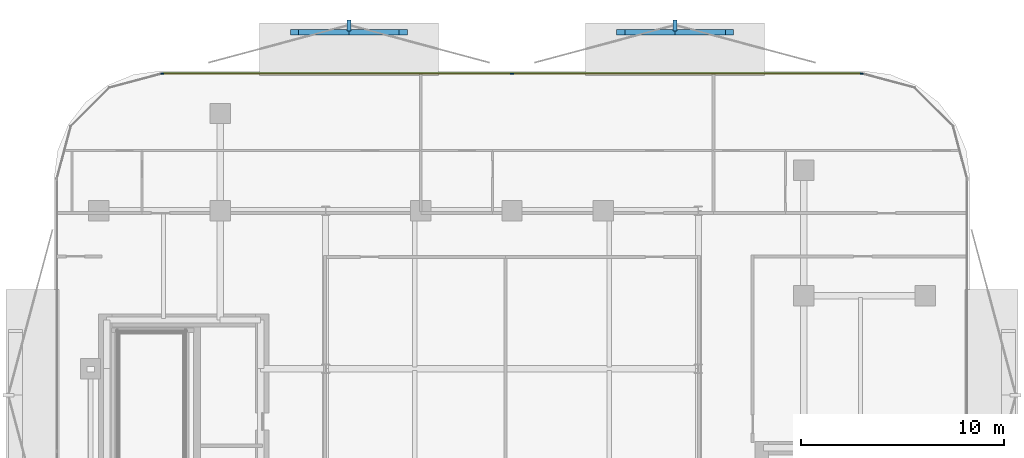
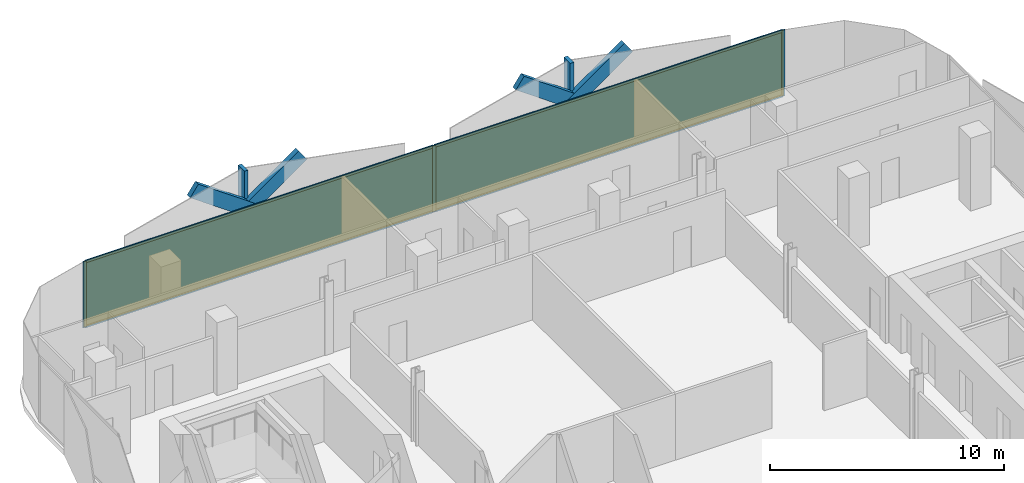
# One storey, part 12 of 17: 13 members, 2 plates, 1 curtain wall.
"""IFC4 building model written with IfcOpenShell, lengths in metres."""

from ifc_helpers import new_model, si_unit, direction, frame, frame_2d, origin, origin_2d, place, context, subcontext, project, spatial, rectangle, extrude, material, layer, layer_set, material_profile, profile_set, type_object, element, aggregate, save


model = new_model("IFC4")

# Units and contexts
model_context = context("Model", 3, precision=1e-05, world=origin(), true_north=direction((0.0, 1.0)))
body_context = subcontext(model_context, "Body", "Model", "MODEL_VIEW")
ifc_project = project(units=[si_unit("LENGTHUNIT", "METRE"), si_unit("AREAUNIT", "SQUARE_METRE"), si_unit("VOLUMEUNIT", "CUBIC_METRE"), si_unit("PLANEANGLEUNIT", "RADIAN"), si_unit("MASSUNIT", "GRAM", prefix="KILO")], contexts=[model_context])

# Member
ifc_material_1 = material(Name="Anodised Bronze Aluminium 6063-T6", Category="aluminium")
ifc_material_profile_1 = material_profile(ifc_material_1, rectangle(XDim=0.260009765625, YDim=0.699951171875, at=origin_2d()))
ifc_profile_set_1 = profile_set([ifc_material_profile_1], Name="Anodised Bronze Aluminium 6063-T6")
member_type_1 = type_object("IfcMemberType", Name="Bronze Diamond Solar-Screen Lattice Rib BDL-700", PredefinedType="MULLION", material=ifc_profile_set_1)
site_placement = place(None, origin())
building_placement = place(site_placement, origin())
storey_placement = place(building_placement, frame((0.0, 0.0, 210.60009765625)))
member_1_placement = place(storey_placement, frame((-10.727294921875, 27.39990234375, -0.130126953125), z_axis=(0.815973383103, 0.0, 0.578089472372), x_axis=(0.0, 1.0, 0.0)))
member_1 = element("IfcMember", 1, at=member_1_placement, type_object=member_type_1, Name="L49 Bronze Diamond Solar Screen Lattice Rib 333A", PredefinedType="MULLION", context=body_context, shape_type="SweptSolid", body=[
    extrude(rectangle(XDim=0.260009765625, YDim=0.699951171875, at=origin_2d()), origin(), (0.0, 0.0, 1.0), 6.573486328125),
])

member_2_placement = place(storey_placement, frame((-5.363525390625, 27.39990234375, -0.130126953125), z_axis=(-0.815973383103, 0.0, 0.578089472372), x_axis=(0.0, -1.0, 0.0)))
member_2 = element("IfcMember", 2, at=member_2_placement, type_object=member_type_1, Name="L49 Bronze Diamond Solar Screen Lattice Rib 333B", PredefinedType="MULLION", context=body_context, shape_type="SweptSolid", body=[
    extrude(rectangle(XDim=0.260009765625, YDim=0.699951171875, at=origin_2d()), origin(), (0.0, 0.0, 1.0), 6.573486328125),
])

member_3_placement = place(storey_placement, frame((5.363525390625, 27.39990234375, -0.130126953125), z_axis=(0.815973383103, 0.0, 0.578089472372), x_axis=(0.0, 1.0, 0.0)))
member_3 = element("IfcMember", 3, at=member_3_placement, type_object=member_type_1, Name="L49 Bronze Diamond Solar Screen Lattice Rib 334A", PredefinedType="MULLION", context=body_context, shape_type="SweptSolid", body=[
    extrude(rectangle(XDim=0.260009765625, YDim=0.699951171875, at=origin_2d()), origin(), (0.0, 0.0, 1.0), 6.573486328125),
])

member_4_placement = place(storey_placement, frame((10.727294921875, 27.39990234375, -0.130126953125), z_axis=(-0.815973383103, 0.0, 0.578089472372), x_axis=(0.0, -1.0, 0.0)))
member_4 = element("IfcMember", 4, at=member_4_placement, type_object=member_type_1, Name="L49 Bronze Diamond Solar Screen Lattice Rib 334B", PredefinedType="MULLION", context=body_context, shape_type="SweptSolid", body=[
    extrude(rectangle(XDim=0.260009765625, YDim=0.699951171875, at=origin_2d()), origin(), (0.0, 0.0, 1.0), 6.573486328125),
])

ifc_material_2 = material(Name="Anodised Bronze Aluminium 6063-T6", Category="aluminium")
ifc_material_profile_2 = material_profile(ifc_material_2, rectangle(XDim=0.179931640625, YDim=0.5400390625, at=origin_2d()))
ifc_profile_set_2 = profile_set([ifc_material_profile_2], Name="Anodised Bronze Aluminium 6063-T6")
member_type_2 = type_object("IfcMemberType", Name="Bronze Solar-Screen Vertical Fold Fin BSF-540", PredefinedType="MULLION", material=ifc_profile_set_2)
member_5_placement = place(storey_placement, frame((-8.04541015625, 27.739990234375, -0.130126953125), z_axis=(0.0, 0.0, 1.0), x_axis=(1.0, 0.0, 0.0)))
member_5 = element("IfcMember", 5, at=member_5_placement, type_object=member_type_2, Name="L49 Bronze Solar Screen Vertical Fin 333", PredefinedType="MULLION", context=body_context, shape_type="SweptSolid", body=[
    extrude(rectangle(XDim=0.179931640625, YDim=0.5400390625, at=origin_2d()), origin(), (0.0, 0.0, 1.0), 3.800048828125),
])

member_6_placement = place(storey_placement, frame((8.04541015625, 27.739990234375, -0.130126953125), z_axis=(0.0, 0.0, 1.0), x_axis=(1.0, 0.0, 0.0)))
member_6 = element("IfcMember", 6, at=member_6_placement, type_object=member_type_2, Name="L49 Bronze Solar Screen Vertical Fin 334", PredefinedType="MULLION", context=body_context, shape_type="SweptSolid", body=[
    extrude(rectangle(XDim=0.179931640625, YDim=0.5400390625, at=origin_2d()), origin(), (0.0, 0.0, 1.0), 3.800048828125),
])

ifc_material_3 = material(Name="Anodised Bronze Aluminium 6063-T6", Category="aluminium")
ifc_material_profile_3 = material_profile(ifc_material_3, rectangle(XDim=0.06005859375, YDim=0.1650390625, at=origin_2d()))
ifc_profile_set_3 = profile_set([ifc_material_profile_3], Name="Anodised Bronze Aluminium 6063-T6")
member_type_3 = type_object("IfcMemberType", Name="CW-Z3 Mullion 60x165", PredefinedType="MULLION", material=ifc_profile_set_3)
member_7_placement = place(storey_placement, frame((-17.2607421875, 25.360107421875, 0.0), z_axis=(0.0, 0.0, 1.0), x_axis=(0.0, 1.0, 0.0)))
member_7 = element("IfcMember", 7, at=member_7_placement, type_object=member_type_3, Name="CW-Z3 mullion 1", PredefinedType="MULLION", context=body_context, shape_type="SweptSolid", body=[
    extrude(rectangle(XDim=0.06005859375, YDim=0.1650390625, at=origin_2d()), origin(), (0.0, 0.0, 1.0), 3.449951171875),
])

member_8_placement = place(storey_placement, frame((0.0, 25.360107421875, 0.0), z_axis=(0.0, 0.0, 1.0), x_axis=(0.0, 1.0, 0.0)))
member_8 = element("IfcMember", 8, at=member_8_placement, type_object=member_type_3, Name="CW-Z3 mullion 2", PredefinedType="MULLION", context=body_context, shape_type="SweptSolid", body=[
    extrude(rectangle(XDim=0.06005859375, YDim=0.1650390625, at=origin_2d()), origin(), (0.0, 0.0, 1.0), 3.449951171875),
])

member_9_placement = place(storey_placement, frame((17.2607421875, 25.360107421875, 0.0), z_axis=(0.0, 0.0, 1.0), x_axis=(0.0, 1.0, 0.0)))
member_9 = element("IfcMember", 9, at=member_9_placement, type_object=member_type_3, Name="CW-Z3 mullion 3", PredefinedType="MULLION", context=body_context, shape_type="SweptSolid", body=[
    extrude(rectangle(XDim=0.06005859375, YDim=0.1650390625, at=origin_2d()), origin(), (0.0, 0.0, 1.0), 3.449951171875),
])

ifc_material_4 = material(Name="Anodised Bronze Aluminium 6063-T6", Category="aluminium")
ifc_material_profile_4 = material_profile(ifc_material_4, rectangle(XDim=0.06005859375, YDim=0.1298828125, at=origin_2d()))
ifc_profile_set_4 = profile_set([ifc_material_profile_4], Name="Anodised Bronze Aluminium 6063-T6")
member_type_4 = type_object("IfcMemberType", Name="CW-Z3 Transom 60x130", PredefinedType="USERDEFINED", material=ifc_profile_set_4)
member_10_placement = place(storey_placement, frame((-17.230712890625, 25.360107421875, 0.02978515625), z_axis=(1.0, 0.0, 0.0), x_axis=(0.0, 1.0, 0.0)))
member_10 = element("IfcMember", 10, at=member_10_placement, type_object=member_type_4, Name="CW-Z3 transom 1.1", ObjectType="TRANSOM", PredefinedType="USERDEFINED", context=body_context, shape_type="SweptSolid", body=[
    extrude(rectangle(XDim=0.06005859375, YDim=0.1298828125, at=origin_2d()), origin(), (0.0, 0.0, 1.0), 17.20068359375),
])

member_11_placement = place(storey_placement, frame((-17.230712890625, 25.360107421875, 3.419921875), z_axis=(1.0, 0.0, 0.0), x_axis=(0.0, 1.0, 0.0)))
member_11 = element("IfcMember", 11, at=member_11_placement, type_object=member_type_4, Name="CW-Z3 transom 1.2", ObjectType="TRANSOM", PredefinedType="USERDEFINED", context=body_context, shape_type="SweptSolid", body=[
    extrude(rectangle(XDim=0.06005859375, YDim=0.1298828125, at=origin_2d()), origin(), (0.0, 0.0, 1.0), 17.20068359375),
])

member_12_placement = place(storey_placement, frame((0.030029296875, 25.360107421875, 0.02978515625), z_axis=(1.0, 0.0, 0.0), x_axis=(0.0, 1.0, 0.0)))
member_12 = element("IfcMember", 12, at=member_12_placement, type_object=member_type_4, Name="CW-Z3 transom 2.1", ObjectType="TRANSOM", PredefinedType="USERDEFINED", context=body_context, shape_type="SweptSolid", body=[
    extrude(rectangle(XDim=0.06005859375, YDim=0.1298828125, at=origin_2d()), origin(), (0.0, 0.0, 1.0), 17.20068359375),
])

member_13_placement = place(storey_placement, frame((0.030029296875, 25.360107421875, 3.419921875), z_axis=(1.0, 0.0, 0.0), x_axis=(0.0, 1.0, 0.0)))
member_13 = element("IfcMember", 13, at=member_13_placement, type_object=member_type_4, Name="CW-Z3 transom 2.2", ObjectType="TRANSOM", PredefinedType="USERDEFINED", context=body_context, shape_type="SweptSolid", body=[
    extrude(rectangle(XDim=0.06005859375, YDim=0.1298828125, at=origin_2d()), origin(), (0.0, 0.0, 1.0), 17.20068359375),
])

# Plate
ifc_material_5 = material(Name="Low-E Solar Control Laminated Glass", Category="glass")
ifc_layer_1 = layer(ifc_material_5, 0.030029296875, Name="Low-E Solar Control Laminated Glass")
ifc_layer_set_1 = layer_set([ifc_layer_1], Name="Low-E Solar Control Laminated Glass")
plate_type = type_object("IfcPlateType", Name="CW-Z3 Low-E Double Glazed Panel 30mm", PredefinedType="CURTAIN_PANEL", material=ifc_layer_set_1)
plate_1_placement = place(storey_placement, frame((-8.63037109375, 25.360107421875, 0.059814453125), z_axis=(0.0, 0.0, 1.0), x_axis=(1.0, 0.0, 0.0)))
plate_1 = element("IfcPlate", 14, at=plate_1_placement, type_object=plate_type, Name="CW-Z3 panel 1.1", PredefinedType="CURTAIN_PANEL", context=body_context, shape_type="SweptSolid", body=[
    extrude(rectangle(XDim=17.20068359375, YDim=0.030029296875, at=origin_2d()), origin(), (0.0, 0.0, 1.0), 3.330078125),
])

plate_2_placement = place(storey_placement, frame((8.63037109375, 25.360107421875, 0.059814453125), z_axis=(0.0, 0.0, 1.0), x_axis=(1.0, 0.0, 0.0)))
plate_2 = element("IfcPlate", 15, at=plate_2_placement, type_object=plate_type, Name="CW-Z3 panel 2.1", PredefinedType="CURTAIN_PANEL", context=body_context, shape_type="SweptSolid", body=[
    extrude(rectangle(XDim=17.20068359375, YDim=0.030029296875, at=origin_2d()), origin(), (0.0, 0.0, 1.0), 3.330078125),
])

# Site, building, storey
site = spatial("IfcSite", under=ifc_project, at=site_placement, CompositionType="ELEMENT")
building = spatial("IfcBuilding", under=site, at=building_placement, Name="Khairoan Windgate Tower", CompositionType="ELEMENT")
storey = spatial("IfcBuildingStorey", under=building, at=storey_placement, Name="L49", CompositionType="ELEMENT", Elevation=210.60009765625)

# Curtain wall
ifc_material_6 = material(Name="Anodised Bronze Aluminium 6063-T6", Category="aluminium")
ifc_layer_2 = layer(ifc_material_6, 0.1650390625, Name="Anodised Bronze Aluminium 6063-T6")
ifc_layer_set_2 = layer_set([ifc_layer_2], Name="Anodised Bronze Aluminium 6063-T6")
curtain_wall_type = type_object("IfcCurtainWallType", Name="Luxury Hotel Acoustic Curtain Wall CW-Z3", PredefinedType="NOTDEFINED", material=ifc_layer_set_2)
curtain_wall_placement = place(storey_placement, frame((-17.290771484375, 25.360107421875, 0.0), z_axis=(0.0, 0.0, 1.0), x_axis=(1.0, 0.0, 0.0)))
curtain_wall = element("IfcCurtainWall", 16, at=curtain_wall_placement, inside=storey, type_object=curtain_wall_type, Name="L49 Unitised Curtain Wall 9", PredefinedType="NOTDEFINED", context=body_context, shape_type="SweptSolid", body=[
    extrude(rectangle(XDim=34.58154296875, YDim=0.010009765625, at=frame_2d((17.290771484375, 0.0))), origin(), (0.0, 0.0, 1.0), 3.449951171875),
])

aggregate(curtain_wall, [member_7, member_8, member_9, member_10, member_11, plate_1, member_12, member_13, plate_2, member_1, member_2, member_5, member_3, member_4, member_6])

save(model, "model.ifc")
